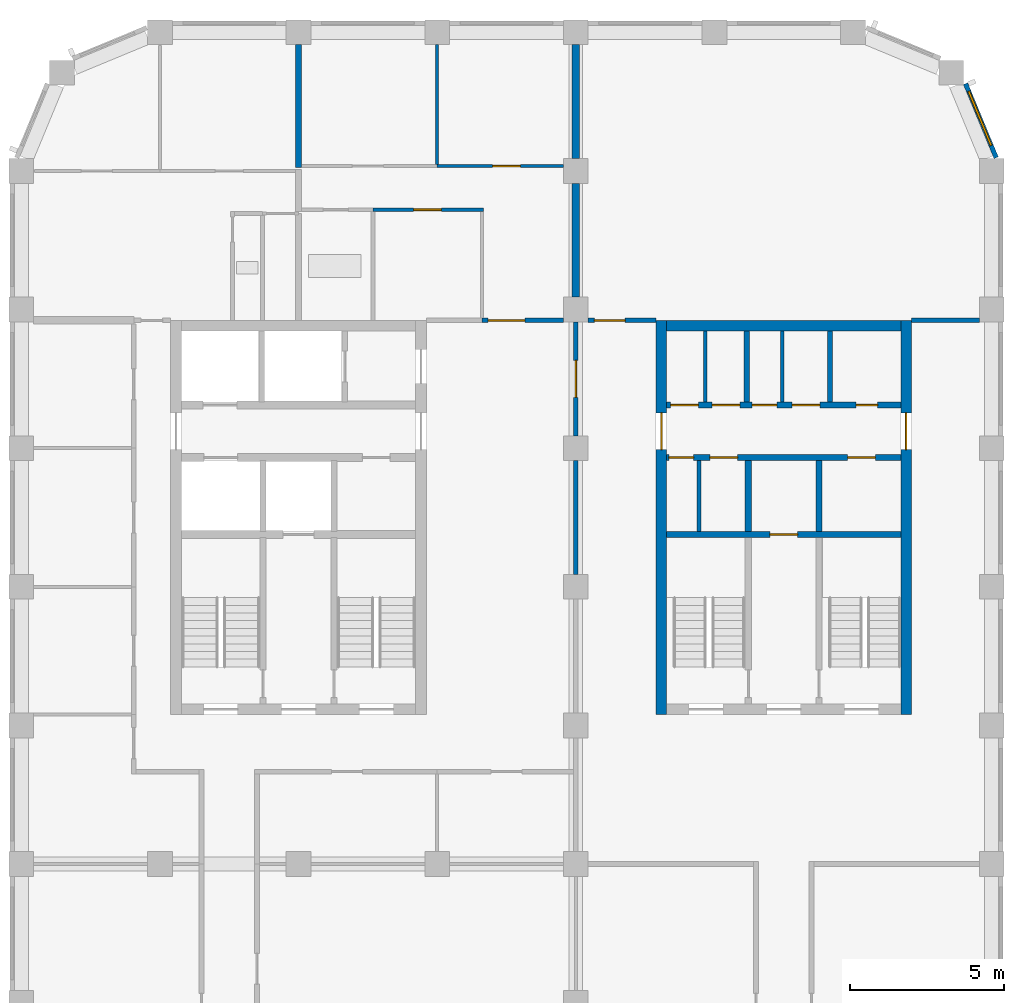
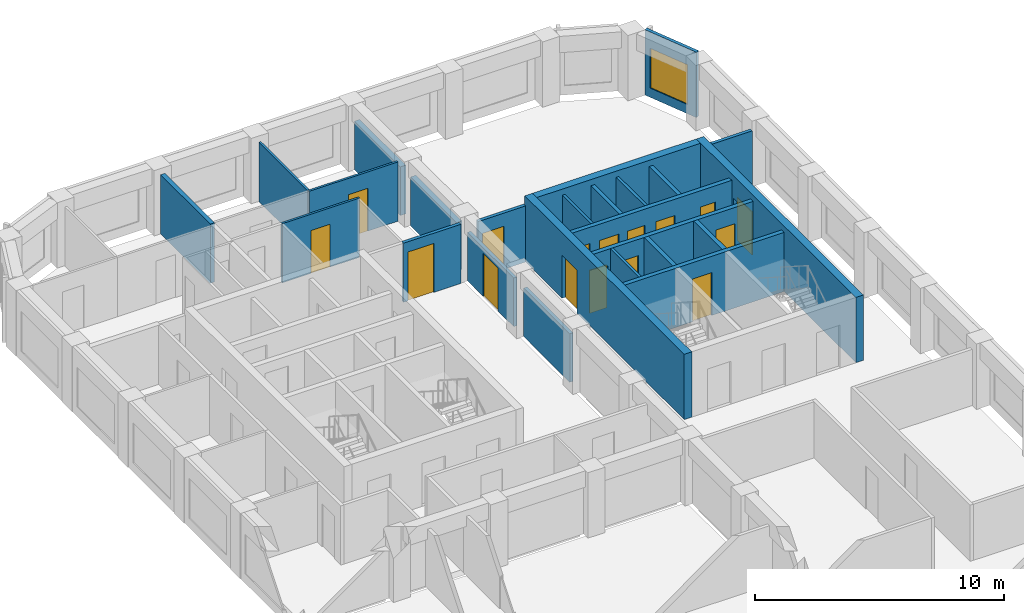
# One storey, part 6 of 9: 25 walls, 16 doors, 1 window, 17 openings.
"""IFC4 building model written with IfcOpenShell, lengths in metres."""

from ifc_helpers import new_model, si_unit, direction, frame, frame_2d, origin, place, context, subcontext, project, spatial, rectangle, extrude, material, layer, layer_set, type_object, element, fill, save


model = new_model("IFC4")

# Units and contexts
model_context = context("Model", 3, precision=1e-05, world=origin(), true_north=direction((0.0, 1.0)))
body_context = subcontext(model_context, "Body", "Model", "MODEL_VIEW")
ifc_project = project(units=[si_unit("LENGTHUNIT", "METRE"), si_unit("AREAUNIT", "SQUARE_METRE"), si_unit("VOLUMEUNIT", "CUBIC_METRE"), si_unit("PLANEANGLEUNIT", "RADIAN"), si_unit("MASSUNIT", "GRAM", prefix="KILO")], contexts=[model_context])

# Site, building, storey
site_placement = place(None, origin())
site = spatial("IfcSite", under=ifc_project, at=site_placement, CompositionType="ELEMENT")
building_placement = place(site_placement, origin())
building = spatial("IfcBuilding", under=site, at=building_placement, Name="Girih Gate Residences", CompositionType="ELEMENT")
storey_placement = place(building_placement, frame((0.0, 0.0, 216.4951171875)))
storey = spatial("IfcBuildingStorey", under=building, at=storey_placement, Name="L60", CompositionType="ELEMENT", Elevation=216.4951171875)

# Walls
ifc_material_1 = material(Name="Gypsum board on steel studs", Category="steel")
ifc_layer_1 = layer(ifc_material_1, 0.25)
ifc_layer_set_1 = layer_set([ifc_layer_1], Name="Acoustic separating wall 250 mm")
wall_type_1 = type_object("IfcWallType", Name="Acoustic separating wall 250 mm", PredefinedType="PARTITIONING", material=ifc_layer_set_1)
for number, where, z_axis, x_axis, name in (
    (1, (18.0, 45.39990234375, 0.0), (0.0, 0.0, 1.0), (0.0, 1.0, 0.0), "L60 partition"),
    (2, (18.0, 40.89990234375, 0.0), (0.0, 0.0, 1.0), (0.0, 1.0, 0.0), "L60 partition"),
):
    element("IfcWall", number, at=place(storey_placement, frame(where, z_axis=z_axis, x_axis=x_axis)), inside=storey, type_object=wall_type_1, Name=name, PredefinedType="PARTITIONING", context=body_context, shape_type="SweptSolid", body=[
        extrude(rectangle(XDim=3.7001953125, YDim=0.25, at=frame_2d((1.85009765625, 0.0))), origin(), (0.0, 0.0, 1.0), 2.3798828125),
    ])

# Wall, opening, door
ifc_layer_2 = layer(ifc_material_1, 0.14990234375)
ifc_layer_set_2 = layer_set([ifc_layer_2], Name="Compartment wall 150 mm")
wall_type_2 = type_object("IfcWallType", Name="Compartment wall 150 mm", PredefinedType="PARTITIONING", material=ifc_layer_set_2)
wall_1_placement = place(storey_placement, frame((14.949951171875, 40.14990234375, 0.0), z_axis=(0.0, 0.0, 1.0), x_axis=(1.0, 0.0, 0.0)))
wall_1 = element("IfcWall", 3, at=wall_1_placement, inside=storey, type_object=wall_type_2, Name="L60 partition", PredefinedType="PARTITIONING", context=body_context, shape_type="SweptSolid", body=[
    extrude(rectangle(XDim=2.650146484375, YDim=0.14990234375, at=frame_2d((1.3251953125, 0.0))), origin(), (0.0, 0.0, 1.0), 2.89990234375),
])
opening_1_placement = place(wall_1_placement, frame((0.199951171875, 0.0, 0.0)))
opening_1 = element("IfcOpeningElement", 4, at=opening_1_placement, cuts=wall_1, Name="Opening A60-016", PredefinedType="OPENING", context=body_context, shape_type="SweptSolid", body=[
    extrude(rectangle(XDim=1.199951171875, YDim=2.39990234375, at=frame_2d((0.60009765625, 1.199951171875))), frame((0.0, 0.0849609375, 0.0), z_axis=(0.0, -1.0, 0.0), x_axis=(1.0, 0.0, 0.0)), (0.0, 0.0, 1.0), 0.169921875),
])
ifc_material_2 = material(Name="Timber, fire-rated core", Category="wood")
door_type_1 = type_object("IfcDoorType", Name="Villa entrance door 1200x2400 FD30S", OperationType="NOTDEFINED", PredefinedType="DOOR", material=ifc_material_2)
door_1_placement = place(opening_1_placement, origin())
door_1 = element("IfcDoor", 5, at=door_1_placement, inside=storey, type_object=door_type_1, Name="Door A60-016", OperationType="SINGLE_SWING_LEFT", OverallHeight=2.39990234375, OverallWidth=1.199951171875, PredefinedType="DOOR", context=body_context, shape_type="SweptSolid", body=[
    extrude(rectangle(XDim=1.199951171875, YDim=2.39990234375, at=frame_2d((0.60009765625, 1.199951171875))), frame((0.0, 0.02490234375, 0.0), z_axis=(0.0, -1.0, 0.0), x_axis=(1.0, 0.0, 0.0)), (0.0, 0.0, 1.0), 0.050048828125),
])
fill(opening_1, door_1)

wall_2_placement = place(storey_placement, frame((18.39990234375, 40.14990234375, 0.0), z_axis=(0.0, 0.0, 1.0), x_axis=(1.0, 0.0, 0.0)))
wall_2 = element("IfcWall", 6, at=wall_2_placement, inside=storey, type_object=wall_type_2, Name="L60 partition", PredefinedType="PARTITIONING", context=body_context, shape_type="SweptSolid", body=[
    extrude(rectangle(XDim=2.2001953125, YDim=0.14990234375, at=frame_2d((1.10009765625, 0.0))), origin(), (0.0, 0.0, 1.0), 2.75),
])
opening_2_placement = place(wall_2_placement, frame((0.199951171875, 0.0, 0.0)))
opening_2 = element("IfcOpeningElement", 7, at=opening_2_placement, cuts=wall_2, Name="Opening A60-018", PredefinedType="OPENING", context=body_context, shape_type="SweptSolid", body=[
    extrude(rectangle(XDim=1.0, YDim=2.10009765625, at=frame_2d((0.5, 1.050048828125))), frame((0.0, 0.0849609375, 0.0), z_axis=(0.0, -1.0, 0.0), x_axis=(1.0, 0.0, 0.0)), (0.0, 0.0, 1.0), 0.169921875),
])
door_type_2 = type_object("IfcDoorType", Name="Amenity room door 1000x2100 FD30S", OperationType="NOTDEFINED", PredefinedType="DOOR", material=ifc_material_2)
door_2_placement = place(opening_2_placement, origin())
door_2 = element("IfcDoor", 8, at=door_2_placement, inside=storey, type_object=door_type_2, Name="Door A60-018", OperationType="SINGLE_SWING_LEFT", OverallHeight=2.10009765625, OverallWidth=1.0, PredefinedType="DOOR", context=body_context, shape_type="SweptSolid", body=[
    extrude(rectangle(XDim=1.0, YDim=2.10009765625, at=frame_2d((0.5, 1.050048828125))), frame((0.0, 0.02490234375, 0.0), z_axis=(0.0, -1.0, 0.0), x_axis=(1.0, 0.0, 0.0)), (0.0, 0.0, 1.0), 0.050048828125),
])
fill(opening_2, door_2)

# Walls
wall_3_placement = place(storey_placement, frame((28.89990234375, 40.14990234375, 0.0), z_axis=(0.0, 0.0, 1.0), x_axis=(1.0, 0.0, 0.0)))
element("IfcWall", 9, at=wall_3_placement, inside=storey, type_object=wall_type_2, Name="L60 partition", PredefinedType="PARTITIONING", context=body_context, shape_type="SweptSolid", body=[
    extrude(rectangle(XDim=2.2001953125, YDim=0.14990234375, at=frame_2d((1.10009765625, 0.0))), origin(), (0.0, 0.0, 1.0), 2.75),
])
wall_4_placement = place(storey_placement, frame((18.0, 31.89990234375, 0.0), z_axis=(0.0, 0.0, 1.0), x_axis=(0.0, 1.0, 0.0)))
element("IfcWall", 10, at=wall_4_placement, inside=storey, type_object=wall_type_2, Name="L60 partition", PredefinedType="PARTITIONING", context=body_context, shape_type="SweptSolid", body=[
    extrude(rectangle(XDim=3.7001953125, YDim=0.14990234375, at=frame_2d((1.85009765625, 0.0))), origin(), (0.0, 0.0, 1.0), 2.3798828125),
])

# Wall, opening, door
wall_5_placement = place(storey_placement, frame((18.0, 40.10009765625, 0.0), z_axis=(0.0, 0.0, 1.0), x_axis=(0.0, -1.0, 0.0)))
wall_5 = element("IfcWall", 11, at=wall_5_placement, inside=storey, type_object=wall_type_2, Name="L60 partition", PredefinedType="PARTITIONING", context=body_context, shape_type="SweptSolid", body=[
    extrude(rectangle(XDim=3.7001953125, YDim=0.14990234375, at=frame_2d((1.85009765625, 0.0))), origin(), (0.0, 0.0, 1.0), 2.3798828125),
])
opening_3_placement = place(wall_5_placement, frame((1.25, 0.0, 0.0)))
opening_3 = element("IfcOpeningElement", 12, at=opening_3_placement, cuts=wall_5, Name="Opening A60-019", PredefinedType="OPENING", context=body_context, shape_type="SweptSolid", body=[
    extrude(rectangle(XDim=1.199951171875, YDim=2.10009765625, at=frame_2d((0.60009765625, 1.050048828125))), frame((0.0, 0.0849609375, 0.0), z_axis=(0.0, -1.0, 0.0), x_axis=(1.0, 0.0, 0.0)), (0.0, 0.0, 1.0), 0.169921875),
])
door_type_3 = type_object("IfcDoorType", Name="Corridor fire door 1200x2100 FD30S", OperationType="NOTDEFINED", PredefinedType="DOOR", material=ifc_material_2)
door_3_placement = place(opening_3_placement, origin())
door_3 = element("IfcDoor", 13, at=door_3_placement, inside=storey, type_object=door_type_3, Name="Door A60-019", OperationType="SINGLE_SWING_LEFT", OverallHeight=2.10009765625, OverallWidth=1.199951171875, PredefinedType="DOOR", context=body_context, shape_type="SweptSolid", body=[
    extrude(rectangle(XDim=1.199951171875, YDim=2.10009765625, at=frame_2d((0.60009765625, 1.050048828125))), frame((0.0, 0.02490234375, 0.0), z_axis=(0.0, -1.0, 0.0), x_axis=(1.0, 0.0, 0.0)), (0.0, 0.0, 1.0), 0.050048828125),
])
fill(opening_3, door_3)

ifc_layer_3 = layer(ifc_material_1, 0.10009765625)
ifc_layer_set_3 = layer_set([ifc_layer_3], Name="Partition 100 mm")
wall_type_3 = type_object("IfcWallType", Name="Partition 100 mm", PredefinedType="PARTITIONING", material=ifc_layer_set_3)
wall_6_placement = place(storey_placement, frame((13.5, 45.159912109375, 0.0), z_axis=(0.0, 0.0, 1.0), x_axis=(1.0, 0.0, 0.0)))
wall_6 = element("IfcWall", 14, at=wall_6_placement, inside=storey, type_object=wall_type_3, Name="L60 partition", PredefinedType="PARTITIONING", context=body_context, shape_type="SweptSolid", body=[
    extrude(rectangle(XDim=4.10009765625, YDim=0.10009765625, at=frame_2d((2.050048828125, 0.0))), origin(), (0.0, 0.0, 1.0), 2.89990234375),
])
opening_4_placement = place(wall_6_placement, frame((1.800048828125, 0.0, 0.0)))
opening_4 = element("IfcOpeningElement", 15, at=opening_4_placement, cuts=wall_6, Name="Opening A60-013", PredefinedType="OPENING", context=body_context, shape_type="SweptSolid", body=[
    extrude(rectangle(XDim=0.89990234375, YDim=2.10009765625, at=frame_2d((0.449951171875, 1.050048828125))), frame((0.0, 0.06005859375, 0.0), z_axis=(0.0, -1.0, 0.0), x_axis=(1.0, 0.0, 0.0)), (0.0, 0.0, 1.0), 0.1201171875),
])
ifc_material_3 = material(Name="Timber", Category="wood")
door_type_4 = type_object("IfcDoorType", Name="Bedroom door 900x2100", OperationType="NOTDEFINED", PredefinedType="DOOR", material=ifc_material_3)
door_4_placement = place(opening_4_placement, origin())
door_4 = element("IfcDoor", 16, at=door_4_placement, inside=storey, type_object=door_type_4, Name="Door A60-013", OperationType="SINGLE_SWING_RIGHT", OverallHeight=2.10009765625, OverallWidth=0.89990234375, PredefinedType="DOOR", context=body_context, shape_type="SweptSolid", body=[
    extrude(rectangle(XDim=0.89990234375, YDim=2.10009765625, at=frame_2d((0.449951171875, 1.050048828125))), frame((0.0, 0.02490234375, 0.0), z_axis=(0.0, -1.0, 0.0), x_axis=(1.0, 0.0, 0.0)), (0.0, 0.0, 1.0), 0.050048828125),
])
fill(opening_4, door_4)

# Wall
wall_7_placement = place(storey_placement, frame((13.5, 45.2099609375, 0.0), z_axis=(0.0, 0.0, 1.0), x_axis=(0.0, 1.0, 0.0)))
element("IfcWall", 17, at=wall_7_placement, inside=storey, type_object=wall_type_3, Name="L60 partition", PredefinedType="PARTITIONING", context=body_context, shape_type="SweptSolid", body=[
    extrude(rectangle(XDim=3.89013671875, YDim=0.10009765625, at=frame_2d((1.945068359375, 0.0))), origin(), (0.0, 0.0, 1.0), 2.89990234375),
])

# Wall, opening, door
wall_8_placement = place(storey_placement, frame((15.0, 43.739990234375, 0.0), z_axis=(0.0, 0.0, 1.0), x_axis=(-1.0, 0.0, 0.0)))
wall_8 = element("IfcWall", 18, at=wall_8_placement, inside=storey, type_object=wall_type_3, Name="L60 partition", PredefinedType="PARTITIONING", context=body_context, shape_type="SweptSolid", body=[
    extrude(rectangle(XDim=3.581787109375, YDim=0.10009765625, at=frame_2d((1.791015625, 0.0))), origin(), (0.0, 0.0, 1.0), 2.89990234375),
])
opening_5_placement = place(wall_8_placement, frame((1.365966796875, 0.0, 0.0)))
opening_5 = element("IfcOpeningElement", 19, at=opening_5_placement, cuts=wall_8, Name="Opening A60-014", PredefinedType="OPENING", context=body_context, shape_type="SweptSolid", body=[
    extrude(rectangle(XDim=0.89990234375, YDim=2.10009765625, at=frame_2d((0.449951171875, 1.050048828125))), frame((0.0, 0.06005859375, 0.0), z_axis=(0.0, -1.0, 0.0), x_axis=(1.0, 0.0, 0.0)), (0.0, 0.0, 1.0), 0.1201171875),
])
door_type_5 = type_object("IfcDoorType", Name="Kitchen door 900x2100", OperationType="NOTDEFINED", PredefinedType="DOOR", material=ifc_material_3)
door_5_placement = place(opening_5_placement, origin())
door_5 = element("IfcDoor", 20, at=door_5_placement, inside=storey, type_object=door_type_5, Name="Door A60-014", OperationType="SINGLE_SWING_RIGHT", OverallHeight=2.10009765625, OverallWidth=0.89990234375, PredefinedType="DOOR", context=body_context, shape_type="SweptSolid", body=[
    extrude(rectangle(XDim=0.89990234375, YDim=2.10009765625, at=frame_2d((0.449951171875, 1.050048828125))), frame((0.0, 0.02490234375, 0.0), z_axis=(0.0, -1.0, 0.0), x_axis=(1.0, 0.0, 0.0)), (0.0, 0.0, 1.0), 0.050048828125),
])
fill(opening_5, door_5)

# Wall
ifc_layer_4 = layer(ifc_material_1, 0.199951171875)
ifc_layer_set_4 = layer_set([ifc_layer_4], Name="Party wall 200 mm")
wall_type_4 = type_object("IfcWallType", Name="Party wall 200 mm", PredefinedType="PARTITIONING", material=ifc_layer_set_4)
wall_9_placement = place(storey_placement, frame((9.0, 45.110107421875, 0.0), z_axis=(0.0, 0.0, 1.0), x_axis=(0.0, 1.0, 0.0)))
element("IfcWall", 21, at=wall_9_placement, inside=storey, type_object=wall_type_4, Name="L60 partition", PredefinedType="PARTITIONING", context=body_context, shape_type="SweptSolid", body=[
    extrude(rectangle(XDim=3.989990234375, YDim=0.199951171875, at=frame_2d((1.9951171875, 0.0))), origin(), (0.0, 0.0, 1.0), 2.89990234375),
])

# Wall, opening, window
ifc_material_4 = material(Name="Precast concrete C50/60", Category="concrete")
ifc_layer_5 = layer(ifc_material_4, 0.050048828125, Name="Outer leaf")
ifc_material_5 = material(Name="Rigid PIR insulation")
ifc_layer_6 = layer(ifc_material_5, 0.06005859375, Name="Insulation")
ifc_material_6 = material(Name="Precast concrete C40/50", Category="concrete")
ifc_layer_7 = layer(ifc_material_6, 0.0400390625, Name="Inner leaf")
ifc_layer_set_5 = layer_set([ifc_layer_5, ifc_layer_6, ifc_layer_7], Name="Precast concrete C50/60 external wall 150")
wall_type_5 = type_object("IfcWallType", Name="Precast concrete C50/60 external wall 150", PredefinedType="SOLIDWALL", material=ifc_layer_set_5)
wall_10_placement = place(storey_placement, frame((30.6513671875, 47.8330078125, 0.0), z_axis=(0.0, 0.0, 1.0), x_axis=(0.382669406082, -0.923885342263, 0.0)))
wall_10 = element("IfcWall", 22, at=wall_10_placement, inside=storey, type_object=wall_type_5, Name="External wall NE0315_0450.0", PredefinedType="SOLIDWALL", context=body_context, shape_type="SweptSolid", body=[
    extrude(rectangle(XDim=2.602294921875, YDim=0.14990234375, at=frame_2d((1.30126953125, 0.0))), origin(), (0.0, 0.0, 1.0), 3.199951171875),
])
opening_6_placement = place(wall_10_placement, frame((0.27001953125, 0.0, 0.449951171875)))
opening_6 = element("IfcOpeningElement", 23, at=opening_6_placement, cuts=wall_10, Name="Opening W-2G", PredefinedType="OPENING", context=body_context, shape_type="SweptSolid", body=[
    extrude(rectangle(XDim=1.89990234375, YDim=1.949951171875, at=frame_2d((0.949951171875, 0.97509765625))), frame((0.0, 0.0849609375, 0.0), z_axis=(0.0, -1.0, 0.0), x_axis=(1.0, 0.0, 0.0)), (0.0, 0.0, 1.0), 0.169921875),
])
ifc_material_7 = material(Name="Double glazing in aluminium frame", Category="aluminium")
window_type = type_object("IfcWindowType", Name="Window W-2G 1900x1950", PartitioningType="SINGLE_PANEL", PredefinedType="WINDOW", material=ifc_material_7)
window_placement = place(opening_6_placement, origin())
window = element("IfcWindow", 24, at=window_placement, inside=storey, type_object=window_type, Name="Window W-2G NE0315_0450.0", OverallHeight=1.949951171875, OverallWidth=1.89990234375, PartitioningType="SINGLE_PANEL", PredefinedType="WINDOW", context=body_context, shape_type="SweptSolid", body=[
    extrude(rectangle(XDim=1.89990234375, YDim=1.949951171875, at=frame_2d((0.949951171875, 0.97509765625))), frame((0.0, 0.030029296875, 0.0), z_axis=(0.0, -1.0, 0.0), x_axis=(1.0, 0.0, 0.0)), (0.0, 0.0, 1.0), 0.06005859375),
])
fill(opening_6, window)

# Walls
ifc_material_8 = material(Name="Concrete C40/50", Category="concrete")
ifc_layer_8 = layer(ifc_material_8, 0.175048828125)
ifc_layer_set_6 = layer_set([ifc_layer_8], Name="Riser shaft wall 175")
wall_type_6 = type_object("IfcWallType", Name="Riser shaft wall 175", PredefinedType="SOLIDWALL", material=ifc_layer_set_6)
for number, where, z_axis, x_axis, name in (
    (25, (23.550048828125, 37.5, 0.0), (0.0, 0.0, 1.0), (0.0, 1.0, 0.0), "L60 C core wall V1c"),
    (26, (26.25, 37.5, 0.0), (0.0, 0.0, 1.0), (0.0, 1.0, 0.0), "L60 C core wall V2c"),
):
    element("IfcWall", number, at=place(storey_placement, frame(where, z_axis=z_axis, x_axis=x_axis)), inside=storey, type_object=wall_type_6, Name=name, PredefinedType="SOLIDWALL", context=body_context, shape_type="SweptSolid", body=[
        extrude(rectangle(XDim=2.300048828125, YDim=0.175048828125, at=frame_2d((1.14990234375, 0.0))), origin(), (0.0, 0.0, 1.0), 2.89990234375),
    ])

# Wall, opening, door
ifc_layer_9 = layer(ifc_material_8, 0.199951171875)
ifc_layer_set_7 = layer_set([ifc_layer_9], Name="Shaft wall 200")
wall_type_7 = type_object("IfcWallType", Name="Shaft wall 200", PredefinedType="SOLIDWALL", material=ifc_layer_set_7)
wall_11_placement = place(storey_placement, frame((20.949951171875, 33.199951171875, 0.0), z_axis=(0.0, 0.0, 1.0), x_axis=(1.0, 0.0, 0.0)))
wall_11 = element("IfcWall", 27, at=wall_11_placement, inside=storey, type_object=wall_type_7, Name="L60 C core wall H1", PredefinedType="SOLIDWALL", context=body_context, shape_type="SweptSolid", body=[
    extrude(rectangle(XDim=7.60009765625, YDim=0.199951171875, at=frame_2d((3.800048828125, 0.0))), origin(), (0.0, 0.0, 1.0), 2.89990234375),
])
opening_7_placement = place(wall_11_placement, frame((3.35009765625, 0.0, 0.0)))
opening_7 = element("IfcOpeningElement", 28, at=opening_7_placement, cuts=wall_11, Name="Opening D-L60-C-011", PredefinedType="OPENING", context=body_context, shape_type="SweptSolid", body=[
    extrude(rectangle(XDim=0.89990234375, YDim=2.10009765625, at=frame_2d((0.449951171875, 1.050048828125))), frame((0.0, 0.10986328125, 0.0), z_axis=(0.0, -1.0, 0.0), x_axis=(1.0, 0.0, 0.0)), (0.0, 0.0, 1.0), 0.219970703125),
])
ifc_material_9 = material(Name="Painted steel, fire-resisting", Category="steel")
door_type_6 = type_object("IfcDoorType", Name="Fire door 900x2100", OperationType="SINGLE_SWING_LEFT", PredefinedType="DOOR", material=ifc_material_9)
door_6_placement = place(opening_7_placement, origin())
door_6 = element("IfcDoor", 29, at=door_6_placement, inside=storey, type_object=door_type_6, Name="L60 C electrical room door", OperationType="SINGLE_SWING_LEFT", OverallHeight=2.10009765625, OverallWidth=0.89990234375, PredefinedType="DOOR", context=body_context, shape_type="SweptSolid", body=[
    extrude(rectangle(XDim=0.89990234375, YDim=2.10009765625, at=frame_2d((0.449951171875, 1.050048828125))), frame((0.0, 0.02490234375, 0.0), z_axis=(0.0, -1.0, 0.0), x_axis=(1.0, 0.0, 0.0)), (0.0, 0.0, 1.0), 0.050048828125),
])
fill(opening_7, door_6)

# Wall, openings, doors
wall_12_placement = place(storey_placement, frame((20.949951171875, 35.699951171875, 0.0), z_axis=(0.0, 0.0, 1.0), x_axis=(1.0, 0.0, 0.0)))
wall_12 = element("IfcWall", 30, at=wall_12_placement, inside=storey, type_object=wall_type_7, Name="L60 C core wall H2", PredefinedType="SOLIDWALL", context=body_context, shape_type="SweptSolid", body=[
    extrude(rectangle(XDim=7.60009765625, YDim=0.199951171875, at=frame_2d((3.800048828125, 0.0))), origin(), (0.0, 0.0, 1.0), 2.89990234375),
])
opening_8_placement = place(wall_12_placement, frame((0.074951171875, 0.0, 0.0)))
opening_8 = element("IfcOpeningElement", 31, at=opening_8_placement, cuts=wall_12, Name="Opening D-L60-C-004", PredefinedType="OPENING", context=body_context, shape_type="SweptSolid", body=[
    extrude(rectangle(XDim=0.800048828125, YDim=2.10009765625, at=frame_2d((0.39990234375, 1.050048828125))), frame((0.0, 0.10986328125, 0.0), z_axis=(0.0, -1.0, 0.0), x_axis=(1.0, 0.0, 0.0)), (0.0, 0.0, 1.0), 0.219970703125),
])
opening_9_placement = place(wall_12_placement, frame((1.39990234375, 0.0, 0.0)))
opening_9 = element("IfcOpeningElement", 32, at=opening_9_placement, cuts=wall_12, Name="Opening D-L60-C-005", PredefinedType="OPENING", context=body_context, shape_type="SweptSolid", body=[
    extrude(rectangle(XDim=0.89990234375, YDim=2.10009765625, at=frame_2d((0.449951171875, 1.050048828125))), frame((0.0, 0.10986328125, 0.0), z_axis=(0.0, -1.0, 0.0), x_axis=(1.0, 0.0, 0.0)), (0.0, 0.0, 1.0), 0.219970703125),
])
opening_10_placement = place(wall_12_placement, frame((5.875, 0.0, 0.0)))
opening_10 = element("IfcOpeningElement", 33, at=opening_10_placement, cuts=wall_12, Name="Opening D-L60-C-006", PredefinedType="OPENING", context=body_context, shape_type="SweptSolid", body=[
    extrude(rectangle(XDim=0.89990234375, YDim=2.10009765625, at=frame_2d((0.449951171875, 1.050048828125))), frame((0.0, 0.10986328125, 0.0), z_axis=(0.0, -1.0, 0.0), x_axis=(1.0, 0.0, 0.0)), (0.0, 0.0, 1.0), 0.219970703125),
])
door_type_7 = type_object("IfcDoorType", Name="Fire door 800x2100", OperationType="SINGLE_SWING_LEFT", PredefinedType="DOOR", material=ifc_material_9)
door_7_placement = place(opening_8_placement, origin())
door_7 = element("IfcDoor", 34, at=door_7_placement, inside=storey, type_object=door_type_7, Name="L60 C riser room door", OperationType="SINGLE_SWING_LEFT", OverallHeight=2.10009765625, OverallWidth=0.800048828125, PredefinedType="DOOR", context=body_context, shape_type="SweptSolid", body=[
    extrude(rectangle(XDim=0.800048828125, YDim=2.10009765625, at=frame_2d((0.39990234375, 1.050048828125))), frame((0.0, 0.02490234375, 0.0), z_axis=(0.0, -1.0, 0.0), x_axis=(1.0, 0.0, 0.0)), (0.0, 0.0, 1.0), 0.050048828125),
])
fill(opening_8, door_7)
door_8_placement = place(opening_9_placement, origin())
door_8 = element("IfcDoor", 35, at=door_8_placement, inside=storey, type_object=door_type_6, Name="L60 C linen store door", OperationType="SINGLE_SWING_LEFT", OverallHeight=2.10009765625, OverallWidth=0.89990234375, PredefinedType="DOOR", context=body_context, shape_type="SweptSolid", body=[
    extrude(rectangle(XDim=0.89990234375, YDim=2.10009765625, at=frame_2d((0.449951171875, 1.050048828125))), frame((0.0, 0.02490234375, 0.0), z_axis=(0.0, -1.0, 0.0), x_axis=(1.0, 0.0, 0.0)), (0.0, 0.0, 1.0), 0.050048828125),
])
fill(opening_9, door_8)
door_9_placement = place(opening_10_placement, origin())
door_9 = element("IfcDoor", 36, at=door_9_placement, inside=storey, type_object=door_type_6, Name="L60 C pantry door", OperationType="SINGLE_SWING_LEFT", OverallHeight=2.10009765625, OverallWidth=0.89990234375, PredefinedType="DOOR", context=body_context, shape_type="SweptSolid", body=[
    extrude(rectangle(XDim=0.89990234375, YDim=2.10009765625, at=frame_2d((0.449951171875, 1.050048828125))), frame((0.0, 0.02490234375, 0.0), z_axis=(0.0, -1.0, 0.0), x_axis=(1.0, 0.0, 0.0)), (0.0, 0.0, 1.0), 0.050048828125),
])
fill(opening_10, door_9)

wall_13_placement = place(storey_placement, frame((20.949951171875, 37.39990234375, 0.0), z_axis=(0.0, 0.0, 1.0), x_axis=(1.0, 0.0, 0.0)))
wall_13 = element("IfcWall", 37, at=wall_13_placement, inside=storey, type_object=wall_type_7, Name="L60 C core wall H3", PredefinedType="SOLIDWALL", context=body_context, shape_type="SweptSolid", body=[
    extrude(rectangle(XDim=7.60009765625, YDim=0.199951171875, at=frame_2d((3.800048828125, 0.0))), origin(), (0.0, 0.0, 1.0), 2.89990234375),
])
opening_11_placement = place(wall_13_placement, frame((6.14990234375, 0.0, 0.0)))
opening_11 = element("IfcOpeningElement", 38, at=opening_11_placement, cuts=wall_13, Name="Opening D-L60-C-003", PredefinedType="OPENING", context=body_context, shape_type="SweptSolid", body=[
    extrude(rectangle(XDim=0.699951171875, YDim=2.10009765625, at=frame_2d((0.35009765625, 1.050048828125))), frame((0.0, 0.10986328125, 0.0), z_axis=(0.0, -1.0, 0.0), x_axis=(1.0, 0.0, 0.0)), (0.0, 0.0, 1.0), 0.219970703125),
])
opening_12_placement = place(wall_13_placement, frame((0.125, 0.0, 0.0)))
opening_12 = element("IfcOpeningElement", 39, at=opening_12_placement, cuts=wall_13, Name="Opening D-L60-C-007", PredefinedType="OPENING", context=body_context, shape_type="SweptSolid", body=[
    extrude(rectangle(XDim=0.89990234375, YDim=2.10009765625, at=frame_2d((0.449951171875, 1.050048828125))), frame((0.0, 0.10986328125, 0.0), z_axis=(0.0, -1.0, 0.0), x_axis=(1.0, 0.0, 0.0)), (0.0, 0.0, 1.0), 0.219970703125),
])
opening_13_placement = place(wall_13_placement, frame((1.47509765625, 0.0, 0.0)))
opening_13 = element("IfcOpeningElement", 40, at=opening_13_placement, cuts=wall_13, Name="Opening D-L60-C-008", PredefinedType="OPENING", context=body_context, shape_type="SweptSolid", body=[
    extrude(rectangle(XDim=0.89990234375, YDim=2.10009765625, at=frame_2d((0.449951171875, 1.050048828125))), frame((0.0, 0.10986328125, 0.0), z_axis=(0.0, -1.0, 0.0), x_axis=(1.0, 0.0, 0.0)), (0.0, 0.0, 1.0), 0.219970703125),
])
opening_14_placement = place(wall_13_placement, frame((2.77490234375, 0.0, 0.0)))
opening_14 = element("IfcOpeningElement", 41, at=opening_14_placement, cuts=wall_13, Name="Opening D-L60-C-009", PredefinedType="OPENING", context=body_context, shape_type="SweptSolid", body=[
    extrude(rectangle(XDim=0.800048828125, YDim=2.10009765625, at=frame_2d((0.39990234375, 1.050048828125))), frame((0.0, 0.10986328125, 0.0), z_axis=(0.0, -1.0, 0.0), x_axis=(1.0, 0.0, 0.0)), (0.0, 0.0, 1.0), 0.219970703125),
])
opening_15_placement = place(wall_13_placement, frame((4.074951171875, 0.0, 0.0)))
opening_15 = element("IfcOpeningElement", 42, at=opening_15_placement, cuts=wall_13, Name="Opening D-L60-C-010", PredefinedType="OPENING", context=body_context, shape_type="SweptSolid", body=[
    extrude(rectangle(XDim=0.89990234375, YDim=2.10009765625, at=frame_2d((0.449951171875, 1.050048828125))), frame((0.0, 0.10986328125, 0.0), z_axis=(0.0, -1.0, 0.0), x_axis=(1.0, 0.0, 0.0)), (0.0, 0.0, 1.0), 0.219970703125),
])
door_10_placement = place(opening_14_placement, origin())
door_10 = element("IfcDoor", 43, at=door_10_placement, inside=storey, type_object=door_type_7, Name="L60 C cleaners store door", OperationType="SINGLE_SWING_LEFT", OverallHeight=2.10009765625, OverallWidth=0.800048828125, PredefinedType="DOOR", context=body_context, shape_type="SweptSolid", body=[
    extrude(rectangle(XDim=0.800048828125, YDim=2.10009765625, at=frame_2d((0.39990234375, 1.050048828125))), frame((0.0, 0.02490234375, 0.0), z_axis=(0.0, -1.0, 0.0), x_axis=(1.0, 0.0, 0.0)), (0.0, 0.0, 1.0), 0.050048828125),
])
fill(opening_14, door_10)
door_11_placement = place(opening_12_placement, origin())
door_11 = element("IfcDoor", 44, at=door_11_placement, inside=storey, type_object=door_type_6, Name="L60 C comms room door", OperationType="SINGLE_SWING_LEFT", OverallHeight=2.10009765625, OverallWidth=0.89990234375, PredefinedType="DOOR", context=body_context, shape_type="SweptSolid", body=[
    extrude(rectangle(XDim=0.89990234375, YDim=2.10009765625, at=frame_2d((0.449951171875, 1.050048828125))), frame((0.0, 0.02490234375, 0.0), z_axis=(0.0, -1.0, 0.0), x_axis=(1.0, 0.0, 0.0)), (0.0, 0.0, 1.0), 0.050048828125),
])
fill(opening_12, door_11)
door_12_placement = place(opening_13_placement, origin())
door_12 = element("IfcDoor", 45, at=door_12_placement, inside=storey, type_object=door_type_6, Name="L60 C it room door", OperationType="SINGLE_SWING_LEFT", OverallHeight=2.10009765625, OverallWidth=0.89990234375, PredefinedType="DOOR", context=body_context, shape_type="SweptSolid", body=[
    extrude(rectangle(XDim=0.89990234375, YDim=2.10009765625, at=frame_2d((0.449951171875, 1.050048828125))), frame((0.0, 0.02490234375, 0.0), z_axis=(0.0, -1.0, 0.0), x_axis=(1.0, 0.0, 0.0)), (0.0, 0.0, 1.0), 0.050048828125),
])
fill(opening_13, door_12)
door_13_placement = place(opening_15_placement, origin())
door_13 = element("IfcDoor", 46, at=door_13_placement, inside=storey, type_object=door_type_6, Name="L60 C riser room door", OperationType="SINGLE_SWING_LEFT", OverallHeight=2.10009765625, OverallWidth=0.89990234375, PredefinedType="DOOR", context=body_context, shape_type="SweptSolid", body=[
    extrude(rectangle(XDim=0.89990234375, YDim=2.10009765625, at=frame_2d((0.449951171875, 1.050048828125))), frame((0.0, 0.02490234375, 0.0), z_axis=(0.0, -1.0, 0.0), x_axis=(1.0, 0.0, 0.0)), (0.0, 0.0, 1.0), 0.050048828125),
])
fill(opening_15, door_13)
door_type_8 = type_object("IfcDoorType", Name="Riser access door 700x2100", OperationType="SINGLE_SWING_LEFT", PredefinedType="DOOR", material=ifc_material_9)
door_14_placement = place(opening_11_placement, origin())
door_14 = element("IfcDoor", 47, at=door_14_placement, inside=storey, type_object=door_type_8, Name="L60 C riser room door", OperationType="SINGLE_SWING_LEFT", OverallHeight=2.10009765625, OverallWidth=0.699951171875, PredefinedType="DOOR", context=body_context, shape_type="SweptSolid", body=[
    extrude(rectangle(XDim=0.699951171875, YDim=2.10009765625, at=frame_2d((0.35009765625, 1.050048828125))), frame((0.0, 0.02490234375, 0.0), z_axis=(0.0, -1.0, 0.0), x_axis=(1.0, 0.0, 0.0)), (0.0, 0.0, 1.0), 0.050048828125),
])
fill(opening_11, door_14)

# Walls
for number, where, z_axis, x_axis, name in (
    (48, (23.60009765625, 33.300048828125, 0.0), (0.0, 0.0, 1.0), (0.0, 1.0, 0.0), "L60 C core wall V1b"),
    (49, (25.89990234375, 33.300048828125, 0.0), (0.0, 0.0, 1.0), (0.0, 1.0, 0.0), "L60 C core wall V2b"),
):
    element("IfcWall", number, at=place(storey_placement, frame(where, z_axis=z_axis, x_axis=x_axis)), inside=storey, type_object=wall_type_7, Name=name, PredefinedType="SOLIDWALL", context=body_context, shape_type="SweptSolid", body=[
        extrude(rectangle(XDim=2.300048828125, YDim=0.199951171875, at=frame_2d((1.14990234375, 0.0))), origin(), (0.0, 0.0, 1.0), 2.89990234375),
    ])
ifc_layer_10 = layer(ifc_material_8, 0.35009765625)
ifc_layer_set_8 = layer_set([ifc_layer_10], Name="Stair core wall RC 350 Concrete C40/50")
wall_type_8 = type_object("IfcWallType", Name="Stair core wall RC 350 Concrete C40/50", PredefinedType="SOLIDWALL", material=ifc_layer_set_8)
wall_14_placement = place(storey_placement, frame((20.949951171875, 39.97509765625, 0.0), z_axis=(0.0, 0.0, 1.0), x_axis=(1.0, 0.0, 0.0)))
element("IfcWall", 50, at=wall_14_placement, inside=storey, type_object=wall_type_8, Name="Stair core wall C-N L60", PredefinedType="SOLIDWALL", context=body_context, shape_type="SweptSolid", body=[
    extrude(rectangle(XDim=7.60009765625, YDim=0.35009765625, at=frame_2d((3.800048828125, 0.0))), origin(), (0.0, 0.0, 1.0), 3.199951171875),
])

# Wall, opening, door
wall_15_placement = place(storey_placement, frame((20.77490234375, 27.35009765625, 0.0), z_axis=(0.0, 0.0, 1.0), x_axis=(0.0, 1.0, 0.0)))
wall_15 = element("IfcWall", 51, at=wall_15_placement, inside=storey, type_object=wall_type_8, Name="Stair core wall C-W L60", PredefinedType="SOLIDWALL", context=body_context, shape_type="SweptSolid", body=[
    extrude(rectangle(XDim=12.7998046875, YDim=0.35009765625, at=frame_2d((6.39990234375, 0.0))), origin(), (0.0, 0.0, 1.0), 3.199951171875),
])
opening_16_placement = place(wall_15_placement, frame((8.60009765625, 0.0, 0.0)))
opening_16 = element("IfcOpeningElement", 52, at=opening_16_placement, cuts=wall_15, Name="Opening D-L60-C-015", PredefinedType="OPENING", context=body_context, shape_type="SweptSolid", body=[
    extrude(rectangle(XDim=1.199951171875, YDim=2.10009765625, at=frame_2d((0.60009765625, 1.050048828125))), frame((0.0, 0.18505859375, 0.0), z_axis=(0.0, -1.0, 0.0), x_axis=(1.0, 0.0, 0.0)), (0.0, 0.0, 1.0), 0.3701171875),
])
door_type_9 = type_object("IfcDoorType", Name="Fire door 1200x2100", OperationType="SINGLE_SWING_LEFT", PredefinedType="DOOR", material=ifc_material_9)
door_15_placement = place(opening_16_placement, origin())
door_15 = element("IfcDoor", 53, at=door_15_placement, inside=storey, type_object=door_type_9, Name="L60 C core door ll-w", OperationType="SINGLE_SWING_LEFT", OverallHeight=2.10009765625, OverallWidth=1.199951171875, PredefinedType="DOOR", context=body_context, shape_type="SweptSolid", body=[
    extrude(rectangle(XDim=1.199951171875, YDim=2.10009765625, at=frame_2d((0.60009765625, 1.050048828125))), frame((0.0, 0.02490234375, 0.0), z_axis=(0.0, -1.0, 0.0), x_axis=(1.0, 0.0, 0.0)), (0.0, 0.0, 1.0), 0.050048828125),
])
fill(opening_16, door_15)

wall_16_placement = place(storey_placement, frame((28.72509765625, 27.35009765625, 0.0), z_axis=(0.0, 0.0, 1.0), x_axis=(0.0, 1.0, 0.0)))
wall_16 = element("IfcWall", 54, at=wall_16_placement, inside=storey, type_object=wall_type_8, Name="Stair core wall C-E L60", PredefinedType="SOLIDWALL", context=body_context, shape_type="SweptSolid", body=[
    extrude(rectangle(XDim=12.7998046875, YDim=0.35009765625, at=frame_2d((6.39990234375, 0.0))), origin(), (0.0, 0.0, 1.0), 3.199951171875),
])
opening_17_placement = place(wall_16_placement, frame((8.60009765625, 0.0, 0.0)))
opening_17 = element("IfcOpeningElement", 55, at=opening_17_placement, cuts=wall_16, Name="Opening D-L60-C-016", PredefinedType="OPENING", context=body_context, shape_type="SweptSolid", body=[
    extrude(rectangle(XDim=1.199951171875, YDim=2.10009765625, at=frame_2d((0.60009765625, 1.050048828125))), frame((0.0, 0.18505859375, 0.0), z_axis=(0.0, -1.0, 0.0), x_axis=(1.0, 0.0, 0.0)), (0.0, 0.0, 1.0), 0.3701171875),
])
door_16_placement = place(opening_17_placement, origin())
door_16 = element("IfcDoor", 56, at=door_16_placement, inside=storey, type_object=door_type_9, Name="L60 C core door ll-e", OperationType="SINGLE_SWING_LEFT", OverallHeight=2.10009765625, OverallWidth=1.199951171875, PredefinedType="DOOR", context=body_context, shape_type="SweptSolid", body=[
    extrude(rectangle(XDim=1.199951171875, YDim=2.10009765625, at=frame_2d((0.60009765625, 1.050048828125))), frame((0.0, 0.02490234375, 0.0), z_axis=(0.0, -1.0, 0.0), x_axis=(1.0, 0.0, 0.0)), (0.0, 0.0, 1.0), 0.050048828125),
])
fill(opening_17, door_16)

# Walls
ifc_material_10 = material(Name="Calcium silicate blockwork", Category="masonry")
ifc_layer_11 = layer(ifc_material_10, 0.125)
ifc_layer_set_9 = layer_set([ifc_layer_11], Name="Store partition 125")
wall_type_9 = type_object("IfcWallType", Name="Store partition 125", PredefinedType="PARTITIONING", material=ifc_layer_set_9)
for number, where, z_axis, x_axis, name in (
    (57, (22.0, 33.300048828125, 0.0), (0.0, 0.0, 1.0), (0.0, 1.0, 0.0), "L60 C core wall SHR1"),
    (58, (22.199951171875, 37.5, 0.0), (0.0, 0.0, 1.0), (0.0, 1.0, 0.0), "L60 C core wall SLR1"),
    (59, (24.699951171875, 37.5, 0.0), (0.0, 0.0, 1.0), (0.0, 1.0, 0.0), "L60 C core wall SLR2"),
):
    element("IfcWall", number, at=place(storey_placement, frame(where, z_axis=z_axis, x_axis=x_axis)), inside=storey, type_object=wall_type_9, Name=name, PredefinedType="PARTITIONING", context=body_context, shape_type="SweptSolid", body=[
        extrude(rectangle(XDim=2.300048828125, YDim=0.125, at=frame_2d((1.14990234375, 0.0))), origin(), (0.0, 0.0, 1.0), 2.89990234375),
    ])

save(model, "model.ifc")
